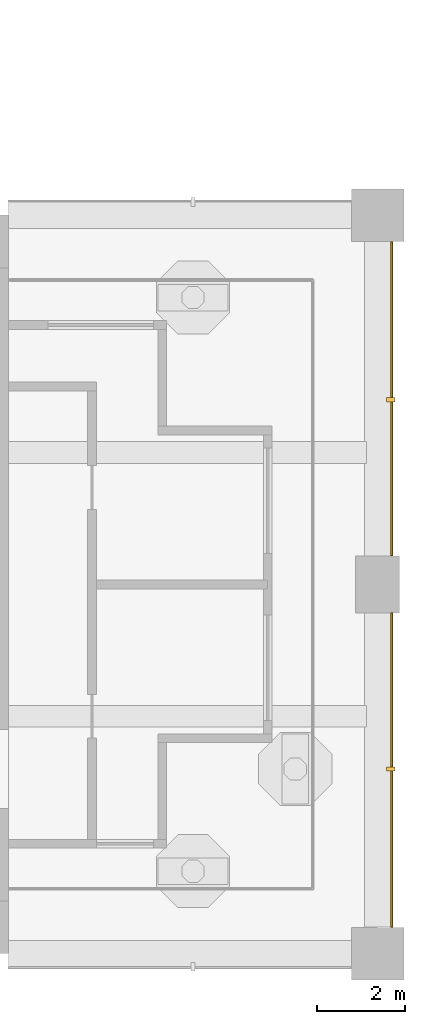
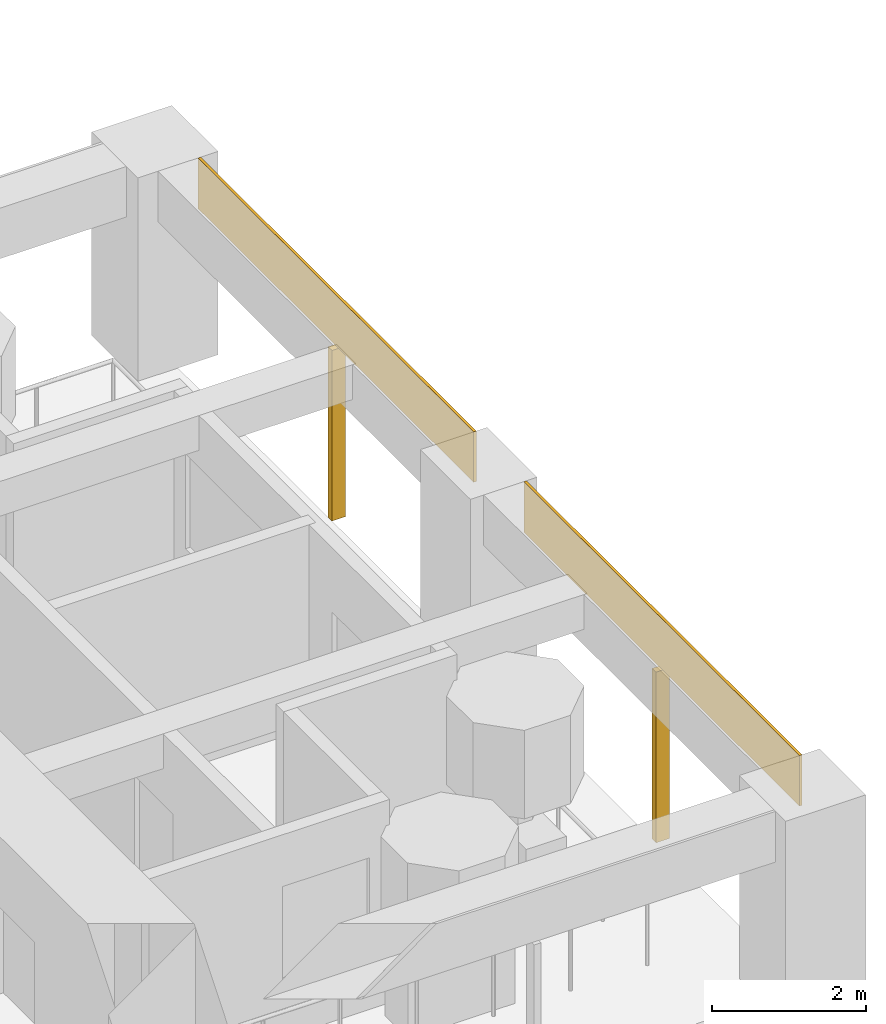
# One storey, part 15 of 18: 4 shading devices.
"""IFC4 building model written with IfcOpenShell, lengths in metres."""

from ifc_helpers import new_model, si_unit, direction, frame, origin, origin_2d, place, context, subcontext, project, spatial, rectangle, extrude, material, layer, layer_set, material_profile, profile_set, type_object, element, save


model = new_model("IFC4")

# Units and contexts
model_context = context("Model", 3, precision=1e-05, world=origin(), true_north=direction((0.0, 1.0)))
body_context = subcontext(model_context, "Body", "Model", "MODEL_VIEW")
ifc_project = project(units=[si_unit("LENGTHUNIT", "METRE"), si_unit("AREAUNIT", "SQUARE_METRE"), si_unit("VOLUMEUNIT", "CUBIC_METRE"), si_unit("PLANEANGLEUNIT", "RADIAN"), si_unit("MASSUNIT", "GRAM", prefix="KILO")], contexts=[model_context])

# Site, building, storey
site_placement = place(None, origin())
site = spatial("IfcSite", under=ifc_project, at=site_placement, CompositionType="ELEMENT")
building_placement = place(site_placement, origin())
building = spatial("IfcBuilding", under=site, at=building_placement, Name="Vermilion Gate Residences", CompositionType="ELEMENT")
storey_placement = place(building_placement, frame((0.0, 0.0, 81.199951171875)))
storey = spatial("IfcBuildingStorey", under=building, at=storey_placement, Name="L19", CompositionType="ELEMENT", Elevation=81.199951171875)

# Shading devices
ifc_material_1 = material(Name="Perforated terracotta", Category="masonry")
ifc_layer = layer(ifc_material_1, 0.0400390625)
ifc_layer_set = layer_set([ifc_layer], Name="PERFORATED TERRACOTTA SCREEN 40")
shading_device_type_1 = type_object("IfcShadingDeviceType", Name="PERFORATED TERRACOTTA SCREEN 40", PredefinedType="SHUTTER", material=ifc_layer_set)
for number, where, z_axis, x_axis, name in (
    (1, (67.52001953125, 12.574951171875, 2.419921875), (0.0, 0.0, 1.0), (0.0, 1.0, 0.0), "SCREEN"),
    (2, (67.52001953125, 21.02490234375, 2.419921875), (0.0, 0.0, 1.0), (0.0, 1.0, 0.0), "SCREEN"),
):
    element("IfcShadingDevice", number, at=place(storey_placement, frame(where, z_axis=z_axis, x_axis=x_axis)), inside=storey, type_object=shading_device_type_1, Name=name, PredefinedType="SHUTTER", context=body_context, shape_type="SweptSolid", body=[
        extrude(rectangle(XDim=7.14990234375, YDim=0.0400390625, at=origin_2d()), origin(), (0.0, 0.0, 1.0), 0.800048828125),
    ])
ifc_material_2 = material(Name="Extruded terracotta", Category="masonry")
ifc_material_profile = material_profile(ifc_material_2, rectangle(XDim=0.199951171875, YDim=0.10009765625, at=origin_2d()), Name="BAGUETTE 100 X 200")
ifc_profile_set = profile_set([ifc_material_profile], Name="Extruded terracotta")
shading_device_type_2 = type_object("IfcShadingDeviceType", Name="TERRACOTTA BAGUETTE 100 X 200", PredefinedType="JALOUSIE", material=ifc_profile_set)
for number, where, z_axis, x_axis, name in (
    (3, (67.5, 12.60009765625, -0.280029296875), (0.0, 0.0, 1.0), (-1.0, 0.0, 0.0), "BAGUETTE"),
    (4, (67.5, 21.0, -0.280029296875), (0.0, 0.0, 1.0), (-1.0, 0.0, 0.0), "BAGUETTE"),
):
    element("IfcShadingDevice", number, at=place(storey_placement, frame(where, z_axis=z_axis, x_axis=x_axis)), inside=storey, type_object=shading_device_type_2, Name=name, PredefinedType="JALOUSIE", context=body_context, shape_type="SweptSolid", body=[
        extrude(rectangle(XDim=0.199951171875, YDim=0.10009765625, at=origin_2d()), origin(), (0.0, 0.0, 1.0), 2.7001953125),
    ])

save(model, "model.ifc")
